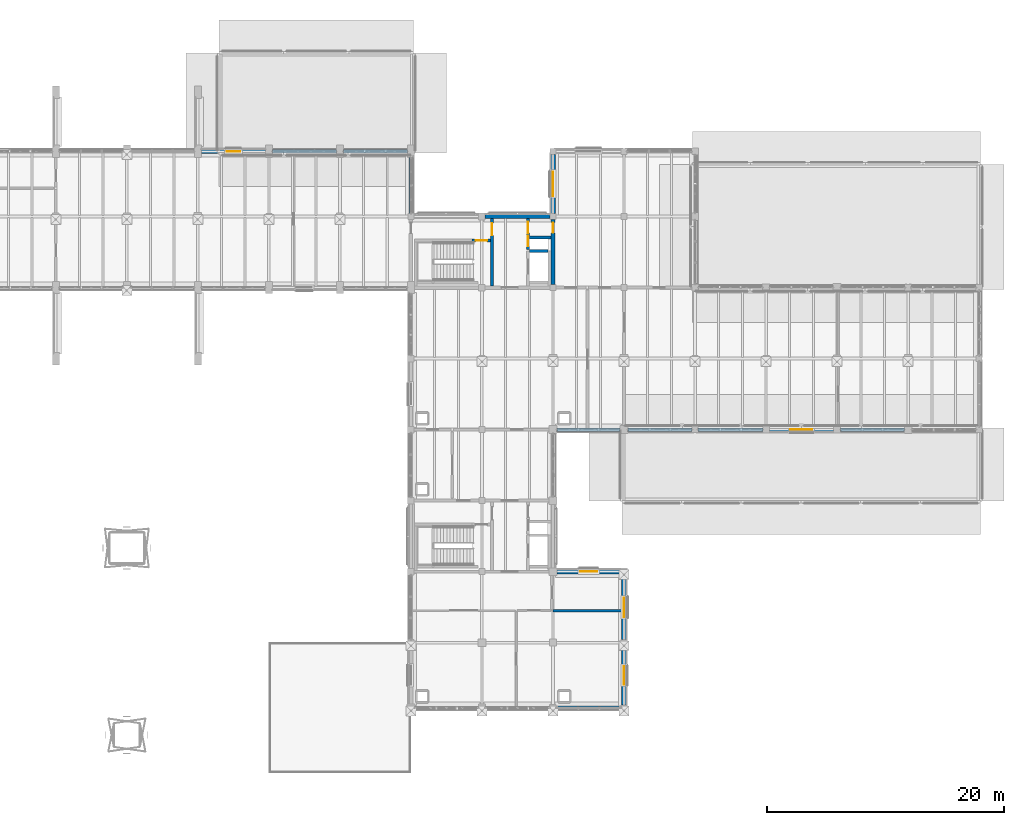
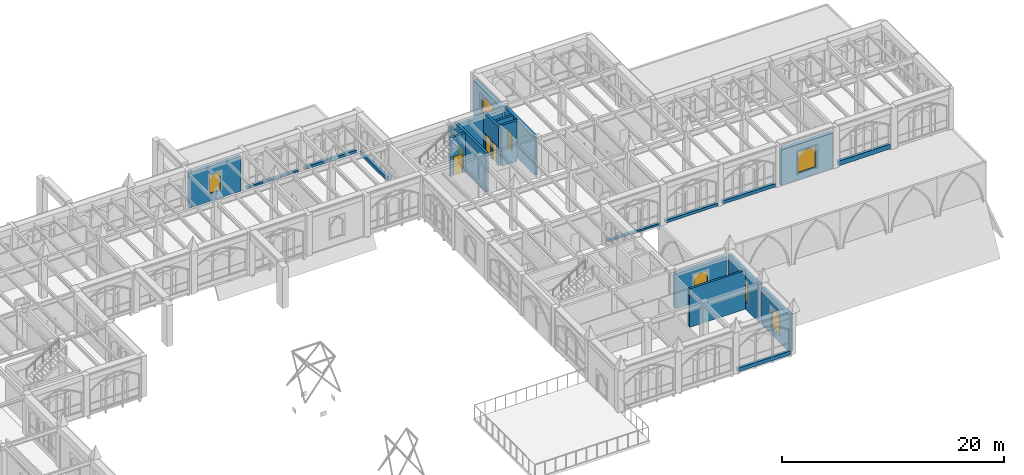
# One storey, part 109 of 143: 22 walls, 6 windows, 5 doors, 11 openings.
"""IFC4 building model written with IfcOpenShell, lengths in metres."""

import ifcopenshell
import ifcopenshell.guid

model = None  # the IFC model being written
_history = None  # IfcOwnerHistory: only IFC2X3 demands one
_inside = {}  # id of a spatial element -> (the spatial element, [elements in it])
_under = {}  # id of a project, library or spatial element -> (it, [spatial elements below it])
_declared = {}  # id of a project -> (the project, [libraries it declares])
_typed = {}  # id of a type object -> (the type object, [elements of that type])
_made_of = {}  # id of a material, layer set ... -> (it, [elements and type objects made of it])


def new_model(schema):
    """Start an empty IFC model of exactly this schema.

    Asked for "IFC4X3", IfcOpenShell would pick the latest addendum, in which some entities
    have other attributes; the version numbers below select the first issue.
    IFC2X3 requires an IfcOwnerHistory on every rooted entity: one is made here for all.
    """
    global model, _history
    if schema == "IFC4X3":
        model = ifcopenshell.file(schema_version=(4, 3, 0, 0))
    else:
        model = ifcopenshell.file(schema=schema)
    _inside.clear()
    _under.clear()
    _declared.clear()
    _typed.clear()
    _made_of.clear()
    _history = None
    if model.schema == "IFC2X3":
        org = make("IfcOrganization", Name="unknown")
        user = make(
            "IfcPersonAndOrganization",
            ThePerson=make("IfcPerson", FamilyName="unknown"),
            TheOrganization=org,
        )
        app = make(
            "IfcApplication",
            ApplicationDeveloper=org,
            Version="unknown",
            ApplicationFullName="unknown",
            ApplicationIdentifier="unknown",
        )
        _history = make(
            "IfcOwnerHistory",
            OwningUser=user,
            OwningApplication=app,
            ChangeAction="ADDED",
            CreationDate=0,
        )
    return model


def make(cls, **values):
    """One entity of the class cls with the attributes given. An attribute that is None is left unset."""
    return model.create_entity(
        cls, **{name: value for name, value in values.items() if value is not None}
    )


def rooted(cls, **values):
    """An entity with a GlobalId (a new one), such as an element, a storey or a relation."""
    return make(cls, GlobalId=ifcopenshell.guid.new(), OwnerHistory=_history, **values)


def si_unit(unit_type, name, prefix=None):
    """IfcSIUnit, for example si_unit("LENGTHUNIT", "METRE", prefix="MILLI")."""
    return make("IfcSIUnit", UnitType=unit_type, Prefix=prefix, Name=name)


def assignment(units):
    """IfcUnitAssignment: the units of a project."""
    return None if units is None else make("IfcUnitAssignment", Units=units)


def point(xyz):
    """IfcCartesianPoint."""
    return None if xyz is None else make("IfcCartesianPoint", Coordinates=xyz)


def direction(xyz):
    """IfcDirection."""
    return None if xyz is None else make("IfcDirection", DirectionRatios=xyz)


def frame(location, z_axis=None, x_axis=None):
    """IfcAxis2Placement3D, a coordinate frame: its origin and axes. An axis left out is left unset."""
    return make(
        "IfcAxis2Placement3D",
        Location=point(location),
        Axis=direction(z_axis),
        RefDirection=direction(x_axis),
    )


def frame_2d(location, x_axis=None):
    """IfcAxis2Placement2D, a coordinate frame in the plane: its origin and x axis."""
    return make(
        "IfcAxis2Placement2D", Location=point(location), RefDirection=direction(x_axis)
    )


def origin():
    """The frame at (0, 0, 0) with its axes left unset."""
    return frame((0.0, 0.0, 0.0))


def place(relative_to, where):
    """IfcLocalPlacement: puts the frame where relative to a parent placement (None: the world)."""
    return make(
        "IfcLocalPlacement", PlacementRelTo=relative_to, RelativePlacement=where
    )


def context(
    kind, dimensions, precision=None, world=None, true_north=None, identifier=None
):
    """IfcGeometricRepresentationContext, for example the 3D "Model" context."""
    return make(
        "IfcGeometricRepresentationContext",
        ContextIdentifier=identifier,
        ContextType=kind,
        CoordinateSpaceDimension=dimensions,
        Precision=precision,
        WorldCoordinateSystem=world,
        TrueNorth=true_north,
    )


def subcontext(parent, identifier, kind, view, scale=None):
    """IfcGeometricRepresentationSubContext, for example "Body" below "Model"."""
    return make(
        "IfcGeometricRepresentationSubContext",
        ContextIdentifier=identifier,
        ContextType=kind,
        ParentContext=parent,
        TargetScale=scale,
        TargetView=view,
    )


def project(units=None, contexts=None):
    """IfcProject with its units and contexts."""
    return rooted(
        "IfcProject",
        Name="project",
        RepresentationContexts=contexts,
        UnitsInContext=assignment(units),
    )


def spatial(cls, under=None, at=None, **own):
    """A site, building, storey or space (cls), placed at a placement, below another one or the project."""
    s = rooted(cls, ObjectPlacement=at, **own)
    if under is not None:
        _under.setdefault(under.id(), (under, []))[1].append(s)
    return s


def profile(cls, at=None, kind="AREA", **sizes):
    """A parametric profile (cls). Its sizes go by their IFC names, for example OverallWidth=200.0."""
    return make(cls, ProfileType=kind, Position=at, **sizes)


def rectangle(**sizes):
    """IfcRectangleProfileDef."""
    return profile("IfcRectangleProfileDef", **sizes)


def extrude(swept, where, along, depth):
    """IfcExtrudedAreaSolid: the profile swept, set in the frame where, extruded along a direction by depth."""
    return make(
        "IfcExtrudedAreaSolid",
        SweptArea=swept,
        Position=where,
        ExtrudedDirection=direction(along),
        Depth=depth,
    )


def shape(context_of_items, identifier, shape_type, items):
    """IfcShapeRepresentation: the items that make up one representation, for example the "Body"."""
    return make(
        "IfcShapeRepresentation",
        ContextOfItems=context_of_items,
        RepresentationIdentifier=identifier,
        RepresentationType=shape_type,
        Items=items,
    )


def material(Name=None, Category=None):
    """IfcMaterial."""
    return make("IfcMaterial", Name=Name, Category=Category)


def layer(
    of_material, thickness, ventilated=None, Name=None, Category=None, Priority=None
):
    """IfcMaterialLayer: one layer of a wall or slab, of a material (None: an air gap)."""
    return make(
        "IfcMaterialLayer",
        Material=of_material,
        LayerThickness=thickness,
        IsVentilated=ventilated,
        Name=Name,
        Category=Category,
        Priority=Priority,
    )


def layer_set(layers, Name=None):
    """IfcMaterialLayerSet."""
    return make("IfcMaterialLayerSet", MaterialLayers=layers, LayerSetName=Name)


def made_of(thing, what):
    """Note that an element or type object is made of a material, layer set ...; save() writes the relation."""
    if what is not None:
        _made_of.setdefault(what.id(), (what, []))[1].append(thing)
    return thing


def type_object(cls, material=None, **own):
    """A type object (cls), such as IfcWallType, which elements share."""
    return made_of(rooted(cls, **own), material)


def element(
    cls,
    number,
    at=None,
    inside=None,
    cuts=None,
    type_object=None,
    material=None,
    context=None,
    identifier="Body",
    shape_type=None,
    held_by="IfcProductDefinitionShape",
    body=None,
    shapes=None,
    **own,
):
    """One element of the class cls, such as IfcWall. Its Tag is "e" and its number.

    at: its placement. inside: the storey or other place that contains it. cuts: it is an
    opening in that element (IfcRelVoidsElement). A single representation is given by context,
    identifier, shape_type and body (its items); several are given by shapes. held_by: the class
    of the entity that holds the representations. save() writes the other relations.
    """
    e = rooted(cls, Tag="e%d" % number, ObjectPlacement=at, **own)
    if body is not None:
        shapes = [shape(context, identifier, shape_type, body)]
    if shapes is not None:
        e.Representation = make(held_by, Representations=shapes)
    if inside is not None:
        _inside.setdefault(inside.id(), (inside, []))[1].append(e)
    if cuts is not None:
        rooted(
            "IfcRelVoidsElement", RelatingBuildingElement=cuts, RelatedOpeningElement=e
        )
    if type_object is not None:
        _typed.setdefault(type_object.id(), (type_object, []))[1].append(e)
    return made_of(e, material)


def fill(opening, filler):
    """IfcRelFillsElement: the door or window that sits in an opening."""
    return rooted(
        "IfcRelFillsElement",
        RelatingOpeningElement=opening,
        RelatedBuildingElement=filler,
    )


def aggregate(whole, parts):
    """IfcRelAggregates: a whole, such as a stair, and the parts it consists of."""
    return rooted("IfcRelAggregates", RelatingObject=whole, RelatedObjects=parts)


def save(model, path):
    """Write the relations noted so far, then the file.

    IfcRelAggregates (storeys below a building ...), IfcRelContainedInSpatialStructure (elements
    in a storey), IfcRelDefinesByType, IfcRelAssociatesMaterial and IfcRelDeclares: one each for
    every whole, place, type object, material and project.
    """
    for whole, parts in _under.values():
        aggregate(whole, parts)
    for where, things in _inside.values():
        rooted(
            "IfcRelContainedInSpatialStructure",
            RelatedElements=things,
            RelatingStructure=where,
        )
    for kind, things in _typed.values():
        rooted("IfcRelDefinesByType", RelatedObjects=things, RelatingType=kind)
    for what, things in _made_of.values():
        rooted("IfcRelAssociatesMaterial", RelatedObjects=things, RelatingMaterial=what)
    for by, libraries in _declared.values():
        rooted("IfcRelDeclares", RelatingContext=by, RelatedDefinitions=libraries)
    model.write(path)


model = new_model("IFC4")

# Units and contexts
model_context = context("Model", 3, precision=1e-05, world=origin(), true_north=direction((0.0, 1.0)))
body_context = subcontext(model_context, "Body", "Model", "MODEL_VIEW")
ifc_project = project(units=[si_unit("LENGTHUNIT", "METRE"), si_unit("AREAUNIT", "SQUARE_METRE"), si_unit("VOLUMEUNIT", "CUBIC_METRE"), si_unit("PLANEANGLEUNIT", "RADIAN"), si_unit("MASSUNIT", "GRAM", prefix="KILO")], contexts=[model_context])

# Site, building, storey
site_placement = place(None, origin())
site = spatial("IfcSite", under=ifc_project, at=site_placement, CompositionType="ELEMENT")
building_placement = place(site_placement, origin())
building = spatial("IfcBuilding", under=site, at=building_placement, Name="Cumevento Cable Car Station", CompositionType="ELEMENT")
storey_placement = place(building_placement, frame((0.0, 0.0, 9.0)))
storey = spatial("IfcBuildingStorey", under=building, at=storey_placement, Name="L03", CompositionType="ELEMENT", Elevation=9.0)

# Walls
ifc_material_1 = material(Name="Gnaisse Facoidal Stone Ashlar 85 MPa", Category="masonry")
ifc_layer_1 = layer(ifc_material_1, 0.294921875)
ifc_layer_set_1 = layer_set([ifc_layer_1], Name="Gnaisse Facoidal Stone Ashlar 85 MPa")
wall_type_1 = type_object("IfcWallType", Name="Exterior Envelope Wall EW-295 295", PredefinedType="SOLIDWALL", material=ifc_layer_set_1)
wall_1_placement = place(storey_placement, frame((106.300048828125, 56.5, 0.0), z_axis=(0.0, 0.0, 1.0), x_axis=(1.0, 0.0, 0.0)))
element("IfcWall", 1, at=wall_1_placement, inside=storey, type_object=wall_type_1, Name="Exterior Sill Curb Wall EW-295 L03 #253", PredefinedType="SOLIDWALL", context=body_context, shape_type="SweptSolid", body=[
    extrude(rectangle(XDim=5.39990234375, YDim=0.294921875, at=frame_2d((2.699951171875, 0.0))), origin(), (0.0, 0.0, 1.0), 0.2099609375),
])
wall_2_placement = place(storey_placement, frame((112.300048828125, 56.5, 0.0), z_axis=(0.0, 0.0, 1.0), x_axis=(1.0, 0.0, 0.0)))
element("IfcWall", 2, at=wall_2_placement, inside=storey, type_object=wall_type_1, Name="Exterior Sill Curb Wall EW-295 L03 #255", PredefinedType="SOLIDWALL", context=body_context, shape_type="SweptSolid", body=[
    extrude(rectangle(XDim=5.39990234375, YDim=0.294921875, at=frame_2d((2.699951171875, 0.0))), origin(), (0.0, 0.0, 1.0), 0.31005859375),
])
wall_3_placement = place(storey_placement, frame((118.0, 55.97509765625, 0.0), z_axis=(0.0, 0.0, 1.0), x_axis=(0.0, -1.0, 0.0)))
element("IfcWall", 3, at=wall_3_placement, inside=storey, type_object=wall_type_1, Name="Exterior Sill Curb Wall EW-295 L03 #256", PredefinedType="SOLIDWALL", context=body_context, shape_type="SweptSolid", body=[
    extrude(rectangle(XDim=4.72509765625, YDim=0.294921875, at=frame_2d((2.362548828125, 0.0))), origin(), (0.0, 0.0, 1.0), 0.360107421875),
])
wall_4_placement = place(storey_placement, frame((135.75, 9.5, 0.0), z_axis=(0.0, 0.0, 1.0), x_axis=(-1.0, 0.0, 0.0)))
element("IfcWall", 4, at=wall_4_placement, inside=storey, type_object=wall_type_1, Name="Exterior Sill Curb Wall EW-295 L03 #266", PredefinedType="SOLIDWALL", context=body_context, shape_type="SweptSolid", body=[
    extrude(rectangle(XDim=5.47509765625, YDim=0.294921875, at=frame_2d((2.737548828125, 0.0))), origin(), (0.0, 0.0, 1.0), 0.409912109375),
])
wall_5_placement = place(storey_placement, frame((135.675048828125, 33.0, 0.0), z_axis=(0.0, 0.0, 1.0), x_axis=(-1.0, 0.0, 0.0)))
element("IfcWall", 5, at=wall_5_placement, inside=storey, type_object=wall_type_1, Name="Exterior Sill Curb Wall EW-295 L03 #276", PredefinedType="SOLIDWALL", context=body_context, shape_type="SweptSolid", body=[
    extrude(rectangle(XDim=5.35009765625, YDim=0.294921875, at=frame_2d((2.675048828125, 0.0))), origin(), (0.0, 0.0, 1.0), 0.2099609375),
])
wall_6_placement = place(storey_placement, frame((141.75, 33.0, 0.0), z_axis=(0.0, 0.0, 1.0), x_axis=(-1.0, 0.0, 0.0)))
element("IfcWall", 6, at=wall_6_placement, inside=storey, type_object=wall_type_1, Name="Exterior Sill Curb Wall EW-295 L03 #279", PredefinedType="SOLIDWALL", context=body_context, shape_type="SweptSolid", body=[
    extrude(rectangle(XDim=5.425048828125, YDim=0.294921875, at=frame_2d((2.71240234375, 0.0))), origin(), (0.0, 0.0, 1.0), 0.31005859375),
])
wall_7_placement = place(storey_placement, frame((147.72509765625, 33.0, 0.0), z_axis=(0.0, 0.0, 1.0), x_axis=(-1.0, 0.0, 0.0)))
element("IfcWall", 7, at=wall_7_placement, inside=storey, type_object=wall_type_1, Name="Exterior Sill Curb Wall EW-295 L03 #280", PredefinedType="SOLIDWALL", context=body_context, shape_type="SweptSolid", body=[
    extrude(rectangle(XDim=5.47509765625, YDim=0.294921875, at=frame_2d((2.737548828125, 0.0))), origin(), (0.0, 0.0, 1.0), 0.360107421875),
])
wall_8_placement = place(storey_placement, frame((159.675048828125, 33.0, 0.0), z_axis=(0.0, 0.0, 1.0), x_axis=(-1.0, 0.0, 0.0)))
element("IfcWall", 8, at=wall_8_placement, inside=storey, type_object=wall_type_1, Name="Exterior Sill Curb Wall EW-295 L03 #284", PredefinedType="SOLIDWALL", context=body_context, shape_type="SweptSolid", body=[
    extrude(rectangle(XDim=5.375, YDim=0.294921875, at=frame_2d((2.6875, 0.0))), origin(), (0.0, 0.0, 1.0), 0.52001953125),
])

# Wall, opening, window
ifc_material_2 = material(Name="Gnaisse Facoidal Stone Ashlar 85 MPa", Category="masonry")
ifc_layer_2 = layer(ifc_material_2, 0.324951171875)
ifc_layer_set_2 = layer_set([ifc_layer_2], Name="Gnaisse Facoidal Stone Ashlar 85 MPa")
wall_type_2 = type_object("IfcWallType", Name="Exterior Envelope Wall EW-325 325", PredefinedType="SOLIDWALL", material=ifc_layer_set_2)
wall_9_placement = place(storey_placement, frame((100.300048828125, 56.5, 0.0), z_axis=(0.0, 0.0, 1.0), x_axis=(1.0, 0.0, 0.0)))
wall_9 = element("IfcWall", 9, at=wall_9_placement, inside=storey, type_object=wall_type_2, Name="Exterior Wall EW-325 L03 #251", PredefinedType="SOLIDWALL", context=body_context, shape_type="SweptSolid", body=[
    extrude(rectangle(XDim=5.39990234375, YDim=0.324951171875, at=frame_2d((2.699951171875, 0.0))), origin(), (0.0, 0.0, 1.0), 3.844970703125),
])
opening_1_placement = place(wall_9_placement, frame((2.125, 0.0, 0.85009765625)))
opening_1 = element("IfcOpeningElement", 10, at=opening_1_placement, cuts=wall_9, Name="Opening WN-L03-076", PredefinedType="OPENING", context=body_context, shape_type="SweptSolid", body=[
    extrude(rectangle(XDim=1.14990234375, YDim=2.050048828125, at=frame_2d((0.574951171875, 1.02490234375))), frame((0.0, 0.172607421875, 0.0), z_axis=(0.0, -1.0, 0.0), x_axis=(1.0, 0.0, 0.0)), (0.0, 0.0, 1.0), 0.344970703125),
])
ifc_material_3 = material(Name="Anodised Bronze Aluminium & Laminated Solar Glass", Category="aluminium")
window_type_1 = type_object("IfcWindowType", Name="Lancet Window WN-04 1150x2050", PartitioningType="SINGLE_PANEL", PredefinedType="WINDOW", material=ifc_material_3)
window_1_placement = place(opening_1_placement, origin())
window_1 = element("IfcWindow", 11, at=window_1_placement, inside=storey, type_object=window_type_1, Name="Lancet Window WN-L03-076 (WN-04)", OverallHeight=2.050048828125, OverallWidth=1.14990234375, PartitioningType="SINGLE_PANEL", PredefinedType="WINDOW", context=body_context, shape_type="SweptSolid", body=[
    extrude(rectangle(XDim=1.14990234375, YDim=2.050048828125, at=frame_2d((0.574951171875, 1.02490234375))), frame((0.0, 0.030029296875, 0.0), z_axis=(0.0, -1.0, 0.0), x_axis=(1.0, 0.0, 0.0)), (0.0, 0.0, 1.0), 0.06005859375),
])
fill(opening_1, window_1)

# Wall
ifc_material_4 = material(Name="Concrete C40/50", Category="concrete")
ifc_layer_3 = layer(ifc_material_4, 0.35498046875)
ifc_layer_set_3 = layer_set([ifc_layer_3], Name="Concrete C40/50")
wall_type_3 = type_object("IfcWallType", Name="Exterior Envelope Wall EW-355 355", PredefinedType="SOLIDWALL", material=ifc_layer_set_3)
wall_10_placement = place(storey_placement, frame((124.27490234375, 51.0, 0.0), z_axis=(0.0, 0.0, 1.0), x_axis=(1.0, 0.0, 0.0)))
element("IfcWall", 12, at=wall_10_placement, inside=storey, type_object=wall_type_3, Name="Exterior Wall EW-355 L03 #291", PredefinedType="SOLIDWALL", context=body_context, shape_type="SweptSolid", body=[
    extrude(rectangle(XDim=5.47509765625, YDim=0.35498046875, at=frame_2d((2.737548828125, 0.0))), origin(), (0.0, 0.0, 1.0), 3.85693359375),
])

# Wall, opening, window
ifc_material_5 = material(Name="Concrete C40/50", Category="concrete")
ifc_layer_4 = layer(ifc_material_5, 0.3701171875)
ifc_layer_set_4 = layer_set([ifc_layer_4], Name="Concrete C40/50")
wall_type_4 = type_object("IfcWallType", Name="Exterior Envelope Wall EW-370 370", PredefinedType="SOLIDWALL", material=ifc_layer_set_4)
wall_11_placement = place(storey_placement, frame((130.324951171875, 21.0, 0.0), z_axis=(0.0, 0.0, 1.0), x_axis=(1.0, 0.0, 0.0)))
wall_11 = element("IfcWall", 13, at=wall_11_placement, inside=storey, type_object=wall_type_4, Name="Exterior Wall EW-370 L03 #267", PredefinedType="SOLIDWALL", context=body_context, shape_type="SweptSolid", body=[
    extrude(rectangle(XDim=5.375, YDim=0.3701171875, at=frame_2d((2.6875, 0.0))), origin(), (0.0, 0.0, 1.0), 3.778076171875),
])
opening_2_placement = place(wall_11_placement, frame((1.96240234375, 0.0, 0.75)))
opening_2 = element("IfcOpeningElement", 14, at=opening_2_placement, cuts=wall_11, Name="Opening WN-L03-079", PredefinedType="OPENING", context=body_context, shape_type="SweptSolid", body=[
    extrude(rectangle(XDim=1.449951171875, YDim=2.25, at=frame_2d((0.72509765625, 1.125))), frame((0.0, 0.195068359375, 0.0), z_axis=(0.0, -1.0, 0.0), x_axis=(1.0, 0.0, 0.0)), (0.0, 0.0, 1.0), 0.39013671875),
])
ifc_material_6 = material(Name="Anodised Bronze Aluminium & Laminated Solar Glass", Category="aluminium")
window_type_2 = type_object("IfcWindowType", Name="Lancet Window WN-07 1450x2250", PartitioningType="SINGLE_PANEL", PredefinedType="WINDOW", material=ifc_material_6)
window_2_placement = place(opening_2_placement, origin())
window_2 = element("IfcWindow", 15, at=window_2_placement, inside=storey, type_object=window_type_2, Name="Lancet Window WN-L03-079 (WN-07)", OverallHeight=2.25, OverallWidth=1.449951171875, PartitioningType="SINGLE_PANEL", PredefinedType="WINDOW", context=body_context, shape_type="SweptSolid", body=[
    extrude(rectangle(XDim=1.449951171875, YDim=2.25, at=frame_2d((0.72509765625, 1.125))), frame((0.0, 0.030029296875, 0.0), z_axis=(0.0, -1.0, 0.0), x_axis=(1.0, 0.0, 0.0)), (0.0, 0.0, 1.0), 0.06005859375),
])
fill(opening_2, window_2)

ifc_material_7 = material(Name="Concrete C40/50", Category="concrete")
ifc_layer_5 = layer(ifc_material_7, 0.39990234375)
ifc_layer_set_5 = layer_set([ifc_layer_5], Name="Concrete C40/50")
wall_type_5 = type_object("IfcWallType", Name="Exterior Envelope Wall EW-400 400", PredefinedType="SOLIDWALL", material=ifc_layer_set_5)
wall_12_placement = place(storey_placement, frame((136.0, 14.72509765625, 0.0), z_axis=(0.0, 0.0, 1.0), x_axis=(0.0, -1.0, 0.0)))
wall_12 = element("IfcWall", 16, at=wall_12_placement, inside=storey, type_object=wall_type_5, Name="Exterior Wall EW-400 L03 #269", PredefinedType="SOLIDWALL", context=body_context, shape_type="SweptSolid", body=[
    extrude(rectangle(XDim=4.97509765625, YDim=0.39990234375, at=frame_2d((2.487548828125, 0.0))), origin(), (0.0, 0.0, 1.0), 4.093017578125),
])
opening_3_placement = place(wall_12_placement, frame((1.71240234375, 0.0, 0.75)))
opening_3 = element("IfcOpeningElement", 17, at=opening_3_placement, cuts=wall_12, Name="Opening WN-L03-080", PredefinedType="OPENING", context=body_context, shape_type="SweptSolid", body=[
    extrude(rectangle(XDim=1.550048828125, YDim=2.25, at=frame_2d((0.77490234375, 1.125))), frame((0.0, 0.2099609375, 0.0), z_axis=(0.0, -1.0, 0.0), x_axis=(1.0, 0.0, 0.0)), (0.0, 0.0, 1.0), 0.419921875),
])
ifc_material_8 = material(Name="Anodised Bronze Aluminium & Laminated Solar Glass", Category="aluminium")
window_type_3 = type_object("IfcWindowType", Name="Lancet Window WN-08 1550x2250", PartitioningType="DOUBLE_PANEL_VERTICAL", PredefinedType="WINDOW", material=ifc_material_8)
window_3_placement = place(opening_3_placement, origin())
window_3 = element("IfcWindow", 18, at=window_3_placement, inside=storey, type_object=window_type_3, Name="Lancet Window WN-L03-080 (WN-08)", OverallHeight=2.25, OverallWidth=1.550048828125, PartitioningType="SINGLE_PANEL", PredefinedType="WINDOW", context=body_context, shape_type="SweptSolid", body=[
    extrude(rectangle(XDim=1.550048828125, YDim=2.25, at=frame_2d((0.77490234375, 1.125))), frame((0.0, 0.030029296875, 0.0), z_axis=(0.0, -1.0, 0.0), x_axis=(1.0, 0.0, 0.0)), (0.0, 0.0, 1.0), 0.06005859375),
])
fill(opening_3, window_3)

wall_13_placement = place(storey_placement, frame((153.699951171875, 33.0, 0.0), z_axis=(0.0, 0.0, 1.0), x_axis=(-1.0, 0.0, 0.0)))
wall_13 = element("IfcWall", 19, at=wall_13_placement, inside=storey, type_object=wall_type_5, Name="Exterior Wall EW-400 L03 #282", PredefinedType="SOLIDWALL", context=body_context, shape_type="SweptSolid", body=[
    extrude(rectangle(XDim=5.425048828125, YDim=0.39990234375, at=frame_2d((2.71240234375, 0.0))), origin(), (0.0, 0.0, 1.0), 3.89306640625),
])
opening_4_placement = place(wall_13_placement, frame((1.78759765625, 0.0, 0.699951171875)))
opening_4 = element("IfcOpeningElement", 20, at=opening_4_placement, cuts=wall_13, Name="Opening WN-L03-083", PredefinedType="OPENING", context=body_context, shape_type="SweptSolid", body=[
    extrude(rectangle(XDim=1.85009765625, YDim=2.35009765625, at=frame_2d((0.925048828125, 1.175048828125))), frame((0.0, 0.2099609375, 0.0), z_axis=(0.0, -1.0, 0.0), x_axis=(1.0, 0.0, 0.0)), (0.0, 0.0, 1.0), 0.419921875),
])
ifc_material_9 = material(Name="Anodised Bronze Aluminium & Laminated Solar Glass", Category="aluminium")
window_type_4 = type_object("IfcWindowType", Name="Lancet Window WN-11 1850x2350", PartitioningType="DOUBLE_PANEL_VERTICAL", PredefinedType="WINDOW", material=ifc_material_9)
window_4_placement = place(opening_4_placement, origin())
window_4 = element("IfcWindow", 21, at=window_4_placement, inside=storey, type_object=window_type_4, Name="Lancet Window WN-L03-083 (WN-11)", OverallHeight=2.35009765625, OverallWidth=1.85009765625, PartitioningType="SINGLE_PANEL", PredefinedType="WINDOW", context=body_context, shape_type="SweptSolid", body=[
    extrude(rectangle(XDim=1.85009765625, YDim=2.35009765625, at=frame_2d((0.925048828125, 1.175048828125))), frame((0.0, 0.030029296875, 0.0), z_axis=(0.0, -1.0, 0.0), x_axis=(1.0, 0.0, 0.0)), (0.0, 0.0, 1.0), 0.06005859375),
])
fill(opening_4, window_4)

wall_14_placement = place(storey_placement, frame((130.0, 51.25, 0.0), z_axis=(0.0, 0.0, 1.0), x_axis=(0.0, 1.0, 0.0)))
wall_14 = element("IfcWall", 22, at=wall_14_placement, inside=storey, type_object=wall_type_5, Name="Exterior Wall EW-400 L03 #295", PredefinedType="SOLIDWALL", context=body_context, shape_type="SweptSolid", body=[
    extrude(rectangle(XDim=5.0, YDim=0.39990234375, at=frame_2d((2.5, 0.0))), origin(), (0.0, 0.0, 1.0), 3.85693359375),
])
opening_5_placement = place(wall_14_placement, frame((1.47509765625, 0.0, 0.699951171875)))
opening_5 = element("IfcOpeningElement", 23, at=opening_5_placement, cuts=wall_14, Name="Opening WN-L03-085", PredefinedType="OPENING", context=body_context, shape_type="SweptSolid", body=[
    extrude(rectangle(XDim=2.050048828125, YDim=2.39990234375, at=frame_2d((1.02490234375, 1.199951171875))), frame((0.0, 0.2099609375, 0.0), z_axis=(0.0, -1.0, 0.0), x_axis=(1.0, 0.0, 0.0)), (0.0, 0.0, 1.0), 0.419921875),
])
ifc_material_10 = material(Name="Anodised Bronze Aluminium & Laminated Solar Glass", Category="aluminium")
window_type_5 = type_object("IfcWindowType", Name="Lancet Window WN-13 2050x2400", PartitioningType="DOUBLE_PANEL_VERTICAL", PredefinedType="WINDOW", material=ifc_material_10)
window_5_placement = place(opening_5_placement, origin())
window_5 = element("IfcWindow", 24, at=window_5_placement, inside=storey, type_object=window_type_5, Name="Lancet Window WN-L03-085 (WN-13)", OverallHeight=2.39990234375, OverallWidth=2.050048828125, PartitioningType="SINGLE_PANEL", PredefinedType="WINDOW", context=body_context, shape_type="SweptSolid", body=[
    extrude(rectangle(XDim=2.050048828125, YDim=2.39990234375, at=frame_2d((1.02490234375, 1.199951171875))), frame((0.0, 0.030029296875, 0.0), z_axis=(0.0, -1.0, 0.0), x_axis=(1.0, 0.0, 0.0)), (0.0, 0.0, 1.0), 0.06005859375),
])
fill(opening_5, window_5)

ifc_material_11 = material(Name="Gnaisse Facoidal Stone Ashlar 85 MPa", Category="masonry")
ifc_layer_6 = layer(ifc_material_11, 0.429931640625)
ifc_layer_set_6 = layer_set([ifc_layer_6], Name="Gnaisse Facoidal Stone Ashlar 85 MPa")
wall_type_6 = type_object("IfcWallType", Name="Exterior Envelope Wall EW-430 430", PredefinedType="SOLIDWALL", material=ifc_layer_set_6)
wall_15_placement = place(storey_placement, frame((136.0, 20.699951171875, 0.0), z_axis=(0.0, 0.0, 1.0), x_axis=(0.0, -1.0, 0.0)))
wall_15 = element("IfcWall", 25, at=wall_15_placement, inside=storey, type_object=wall_type_6, Name="Exterior Wall EW-430 L03 #271", PredefinedType="SOLIDWALL", context=body_context, shape_type="SweptSolid", body=[
    extrude(rectangle(XDim=5.425048828125, YDim=0.429931640625, at=frame_2d((2.71240234375, 0.0))), origin(), (0.0, 0.0, 1.0), 4.093017578125),
])
opening_6_placement = place(wall_15_placement, frame((1.887451171875, 0.0, 0.75)))
opening_6 = element("IfcOpeningElement", 26, at=opening_6_placement, cuts=wall_15, Name="Opening WN-L03-081", PredefinedType="OPENING", context=body_context, shape_type="SweptSolid", body=[
    extrude(rectangle(XDim=1.64990234375, YDim=2.300048828125, at=frame_2d((0.824951171875, 1.14990234375))), frame((0.0, 0.224853515625, 0.0), z_axis=(0.0, -1.0, 0.0), x_axis=(1.0, 0.0, 0.0)), (0.0, 0.0, 1.0), 0.449951171875),
])
ifc_material_12 = material(Name="Anodised Bronze Aluminium & Laminated Solar Glass", Category="aluminium")
window_type_6 = type_object("IfcWindowType", Name="Lancet Window WN-09 1650x2300", PartitioningType="DOUBLE_PANEL_VERTICAL", PredefinedType="WINDOW", material=ifc_material_12)
window_6_placement = place(opening_6_placement, origin())
window_6 = element("IfcWindow", 27, at=window_6_placement, inside=storey, type_object=window_type_6, Name="Lancet Window WN-L03-081 (WN-09)", OverallHeight=2.300048828125, OverallWidth=1.64990234375, PartitioningType="SINGLE_PANEL", PredefinedType="WINDOW", context=body_context, shape_type="SweptSolid", body=[
    extrude(rectangle(XDim=1.64990234375, YDim=2.300048828125, at=frame_2d((0.824951171875, 1.14990234375))), frame((0.0, 0.030029296875, 0.0), z_axis=(0.0, -1.0, 0.0), x_axis=(1.0, 0.0, 0.0)), (0.0, 0.0, 1.0), 0.06005859375),
])
fill(opening_6, window_6)

# Walls
ifc_material_13 = material(Name="Concrete C40/50", Category="concrete")
ifc_layer_7 = layer(ifc_material_13, 0.219970703125)
ifc_layer_set_7 = layer_set([ifc_layer_7], Name="Concrete C40/50")
wall_type_7 = type_object("IfcWallType", Name="Interior Partition FW-220 220", PredefinedType="SOLIDWALL", material=ifc_layer_set_7)
wall_16_placement = place(storey_placement, frame((130.0, 17.699951171875, 0.0), z_axis=(0.0, 0.0, 1.0), x_axis=(1.0, 0.0, 0.0)))
element("IfcWall", 28, at=wall_16_placement, inside=storey, type_object=wall_type_7, Name="Interior Wall FW-220 L03 #675", PredefinedType="SOLIDWALL", context=body_context, shape_type="SweptSolid", body=[
    extrude(rectangle(XDim=5.782958984375, YDim=0.219970703125, at=frame_2d((2.8916015625, 0.0))), origin(), (0.0, 0.0, 1.0), 4.239990234375),
])
ifc_material_14 = material(Name="Concrete C40/50", Category="concrete")
ifc_layer_8 = layer(ifc_material_14, 0.22998046875)
ifc_layer_set_8 = layer_set([ifc_layer_8], Name="Concrete C40/50")
wall_type_8 = type_object("IfcWallType", Name="Interior Shear Wall CW-230 230", PredefinedType="SHEAR", material=ifc_layer_set_8)
wall_17_placement = place(storey_placement, frame((128.0048828125, 48.080078125, 0.0), z_axis=(0.0, 0.0, 1.0), x_axis=(1.0, 0.0, 0.0)))
element("IfcWall", 29, at=wall_17_placement, inside=storey, type_object=wall_type_8, Name="Interior Wall CW-230 L03 #506", PredefinedType="SHEAR", context=body_context, shape_type="SweptSolid", body=[
    extrude(rectangle(XDim=1.580078125, YDim=0.22998046875, at=frame_2d((0.7900390625, 0.0))), origin(), (0.0, 0.0, 1.0), 4.5),
])
wall_18_placement = place(storey_placement, frame((128.0048828125, 49.219970703125, 0.0), z_axis=(0.0, 0.0, 1.0), x_axis=(1.0, 0.0, 0.0)))
element("IfcWall", 30, at=wall_18_placement, inside=storey, type_object=wall_type_8, Name="Interior Wall CW-230 L03 #508", PredefinedType="SHEAR", context=body_context, shape_type="SweptSolid", body=[
    extrude(rectangle(XDim=1.84521484375, YDim=0.22998046875, at=frame_2d((0.922607421875, 0.0))), origin(), (0.0, 0.0, 1.0), 4.263916015625),
])

# Wall, opening, door
ifc_material_15 = material(Name="Concrete C40/50", Category="concrete")
ifc_layer_9 = layer(ifc_material_15, 0.25)
ifc_layer_set_9 = layer_set([ifc_layer_9], Name="Concrete C40/50")
wall_type_9 = type_object("IfcWallType", Name="Interior Shear Wall CW-250 250", PredefinedType="SHEAR", material=ifc_layer_set_9)
wall_19_placement = place(storey_placement, frame((123.159912109375, 48.97509765625, 0.0), z_axis=(0.0, 0.0, 1.0), x_axis=(1.0, 0.0, 0.0)))
wall_19 = element("IfcWall", 31, at=wall_19_placement, inside=storey, type_object=wall_type_9, Name="Interior Wall CW-250 L03 #501", PredefinedType="SHEAR", context=body_context, shape_type="SweptSolid", body=[
    extrude(rectangle(XDim=1.580078125, YDim=0.25, at=frame_2d((0.7900390625, 0.0))), origin(), (0.0, 0.0, 1.0), 4.263916015625),
])
opening_7_placement = place(wall_19_placement, frame((0.31005859375, 0.0, 0.0)))
opening_7 = element("IfcOpeningElement", 32, at=opening_7_placement, cuts=wall_19, Name="Opening DR-L03-167", PredefinedType="OPENING", context=body_context, shape_type="SweptSolid", body=[
    extrude(rectangle(XDim=0.9599609375, YDim=2.1201171875, at=frame_2d((0.47998046875, 1.06005859375))), frame((0.0, 0.135009765625, 0.0), z_axis=(0.0, -1.0, 0.0), x_axis=(1.0, 0.0, 0.0)), (0.0, 0.0, 1.0), 0.27001953125),
])
ifc_material_16 = material(Name="Galvanised Painted Steel Fire Door", Category="steel")
door_type_1 = type_object("IfcDoorType", Name="Interior Door FD-01 960x2120", OperationType="NOTDEFINED", PredefinedType="DOOR", material=ifc_material_16)
door_1_placement = place(opening_7_placement, origin())
door_1 = element("IfcDoor", 33, at=door_1_placement, inside=storey, type_object=door_type_1, Name="Stair ST-06 Enclosure Door L03", OperationType="SINGLE_SWING_LEFT", OverallHeight=2.1201171875, OverallWidth=0.9599609375, PredefinedType="DOOR", context=body_context, shape_type="SweptSolid", body=[
    extrude(rectangle(XDim=0.9599609375, YDim=2.1201171875, at=frame_2d((0.47998046875, 1.06005859375))), frame((0.0, 0.02490234375, 0.0), z_axis=(0.0, -1.0, 0.0), x_axis=(1.0, 0.0, 0.0)), (0.0, 0.0, 1.0), 0.050048828125),
])
fill(opening_7, door_1)

wall_20_placement = place(storey_placement, frame((124.864990234375, 45.14990234375, 0.0), z_axis=(0.0, 0.0, 1.0), x_axis=(0.0, 1.0, 0.0)))
wall_20 = element("IfcWall", 34, at=wall_20_placement, inside=storey, type_object=wall_type_9, Name="Interior Wall CW-250 L03 #502", PredefinedType="SHEAR", context=body_context, shape_type="SweptSolid", body=[
    extrude(rectangle(XDim=5.675048828125, YDim=0.25, at=frame_2d((2.83740234375, 0.0))), origin(), (0.0, 0.0, 1.0), 4.263916015625),
])
opening_8_placement = place(wall_20_placement, frame((4.25, 0.0, 0.0)))
opening_8 = element("IfcOpeningElement", 35, at=opening_8_placement, cuts=wall_20, Name="Opening DR-L03-168", PredefinedType="OPENING", context=body_context, shape_type="SweptSolid", body=[
    extrude(rectangle(XDim=1.0400390625, YDim=2.139892578125, at=frame_2d((0.52001953125, 1.06982421875))), frame((0.0, 0.135009765625, 0.0), z_axis=(0.0, -1.0, 0.0), x_axis=(1.0, 0.0, 0.0)), (0.0, 0.0, 1.0), 0.27001953125),
])
ifc_material_17 = material(Name="Galvanised Painted Steel Fire Door", Category="steel")
door_type_2 = type_object("IfcDoorType", Name="Interior Door FD-02 1040x2140", OperationType="NOTDEFINED", PredefinedType="DOOR", material=ifc_material_17)
door_2_placement = place(opening_8_placement, origin())
door_2 = element("IfcDoor", 36, at=door_2_placement, inside=storey, type_object=door_type_2, Name="Lobby Vestibule Door CORE6 L03", OperationType="SINGLE_SWING_RIGHT", OverallHeight=2.139892578125, OverallWidth=1.0400390625, PredefinedType="DOOR", context=body_context, shape_type="SweptSolid", body=[
    extrude(rectangle(XDim=1.0400390625, YDim=2.139892578125, at=frame_2d((0.52001953125, 1.06982421875))), frame((0.0, 0.02490234375, 0.0), z_axis=(0.0, -1.0, 0.0), x_axis=(1.0, 0.0, 0.0)), (0.0, 0.0, 1.0), 0.050048828125),
])
fill(opening_8, door_2)

# Wall, openings, doors
wall_21_placement = place(storey_placement, frame((127.8798828125, 48.199951171875, 0.0), z_axis=(0.0, 0.0, 1.0), x_axis=(0.0, 1.0, 0.0)))
wall_21 = element("IfcWall", 37, at=wall_21_placement, inside=storey, type_object=wall_type_9, Name="Interior Wall CW-250 L03 #507", PredefinedType="SHEAR", context=body_context, shape_type="SweptSolid", body=[
    extrude(rectangle(XDim=2.625, YDim=0.25, at=frame_2d((1.3125, 0.0))), origin(), (0.0, 0.0, 1.0), 4.263916015625),
])
opening_9_placement = place(wall_21_placement, frame((0.280029296875, 0.0, 0.0)))
opening_9 = element("IfcOpeningElement", 38, at=opening_9_placement, cuts=wall_21, Name="Opening DR-L03-170", PredefinedType="OPENING", context=body_context, shape_type="SweptSolid", body=[
    extrude(rectangle(XDim=0.8798828125, YDim=2.080078125, at=frame_2d((0.43994140625, 1.0400390625))), frame((0.0, 0.135009765625, 0.0), z_axis=(0.0, -1.0, 0.0), x_axis=(1.0, 0.0, 0.0)), (0.0, 0.0, 1.0), 0.27001953125),
])
opening_10_placement = place(wall_21_placement, frame((1.39990234375, 0.0, 0.0)))
opening_10 = element("IfcOpeningElement", 39, at=opening_10_placement, cuts=wall_21, Name="Opening DR-L03-171", PredefinedType="OPENING", context=body_context, shape_type="SweptSolid", body=[
    extrude(rectangle(XDim=0.9599609375, YDim=2.1201171875, at=frame_2d((0.47998046875, 1.06005859375))), frame((0.0, 0.135009765625, 0.0), z_axis=(0.0, -1.0, 0.0), x_axis=(1.0, 0.0, 0.0)), (0.0, 0.0, 1.0), 0.27001953125),
])
door_3_placement = place(opening_10_placement, origin())
door_3 = element("IfcDoor", 40, at=door_3_placement, inside=storey, type_object=door_type_1, Name="East Vestibule Lobby Door CORE6 L03", OperationType="SINGLE_SWING_RIGHT", OverallHeight=2.1201171875, OverallWidth=0.9599609375, PredefinedType="DOOR", context=body_context, shape_type="SweptSolid", body=[
    extrude(rectangle(XDim=0.9599609375, YDim=2.1201171875, at=frame_2d((0.47998046875, 1.06005859375))), frame((0.0, 0.02490234375, 0.0), z_axis=(0.0, -1.0, 0.0), x_axis=(1.0, 0.0, 0.0)), (0.0, 0.0, 1.0), 0.050048828125),
])
fill(opening_10, door_3)
ifc_material_18 = material(Name="Galvanised Painted Steel Fire Door", Category="steel")
door_type_3 = type_object("IfcDoorType", Name="Interior Door FD-07 880x2080", OperationType="NOTDEFINED", PredefinedType="DOOR", material=ifc_material_18)
door_4_placement = place(opening_9_placement, origin())
door_4 = element("IfcDoor", 41, at=door_4_placement, inside=storey, type_object=door_type_3, Name="MEP Riser Access Door CORE6 L03", OperationType="SINGLE_SWING_LEFT", OverallHeight=2.080078125, OverallWidth=0.8798828125, PredefinedType="DOOR", context=body_context, shape_type="SweptSolid", body=[
    extrude(rectangle(XDim=0.8798828125, YDim=2.080078125, at=frame_2d((0.43994140625, 1.0400390625))), frame((0.0, 0.02490234375, 0.0), z_axis=(0.0, -1.0, 0.0), x_axis=(1.0, 0.0, 0.0)), (0.0, 0.0, 1.0), 0.050048828125),
])
fill(opening_9, door_4)

# Wall, opening, door
ifc_material_19 = material(Name="Concrete C40/50", Category="concrete")
ifc_layer_10 = layer(ifc_material_19, 0.300048828125)
ifc_layer_set_10 = layer_set([ifc_layer_10], Name="Concrete C40/50")
wall_type_10 = type_object("IfcWallType", Name="Interior Shear Wall CW-300 300", PredefinedType="SHEAR", material=ifc_layer_set_10)
wall_22_placement = place(storey_placement, frame((130.0, 45.25, 0.0), z_axis=(0.0, 0.0, 1.0), x_axis=(0.0, 1.0, 0.0)))
wall_22 = element("IfcWall", 42, at=wall_22_placement, inside=storey, type_object=wall_type_10, Name="Interior Wall CW-300 L03 #497", PredefinedType="SHEAR", context=body_context, shape_type="SweptSolid", body=[
    extrude(rectangle(XDim=5.5, YDim=0.300048828125, at=frame_2d((2.75, 0.0))), origin(), (0.0, 0.0, 1.0), 4.263916015625),
])
opening_11_placement = place(wall_22_placement, frame((4.360107421875, 0.0, 0.0)))
opening_11 = element("IfcOpeningElement", 43, at=opening_11_placement, cuts=wall_22, Name="Opening DR-L03-166", PredefinedType="OPENING", context=body_context, shape_type="SweptSolid", body=[
    extrude(rectangle(XDim=0.8798828125, YDim=2.080078125, at=frame_2d((0.43994140625, 1.0400390625))), frame((0.0, 0.159912109375, 0.0), z_axis=(0.0, -1.0, 0.0), x_axis=(1.0, 0.0, 0.0)), (0.0, 0.0, 1.0), 0.320068359375),
])
door_5_placement = place(opening_11_placement, origin())
door_5 = element("IfcDoor", 44, at=door_5_placement, inside=storey, type_object=door_type_3, Name="Core CORE6 E_vest Fire Door L03", OperationType="SINGLE_SWING_RIGHT", OverallHeight=2.080078125, OverallWidth=0.8798828125, PredefinedType="DOOR", context=body_context, shape_type="SweptSolid", body=[
    extrude(rectangle(XDim=0.8798828125, YDim=2.080078125, at=frame_2d((0.43994140625, 1.0400390625))), frame((0.0, 0.02490234375, 0.0), z_axis=(0.0, -1.0, 0.0), x_axis=(1.0, 0.0, 0.0)), (0.0, 0.0, 1.0), 0.050048828125),
])
fill(opening_11, door_5)

save(model, "model.ifc")
